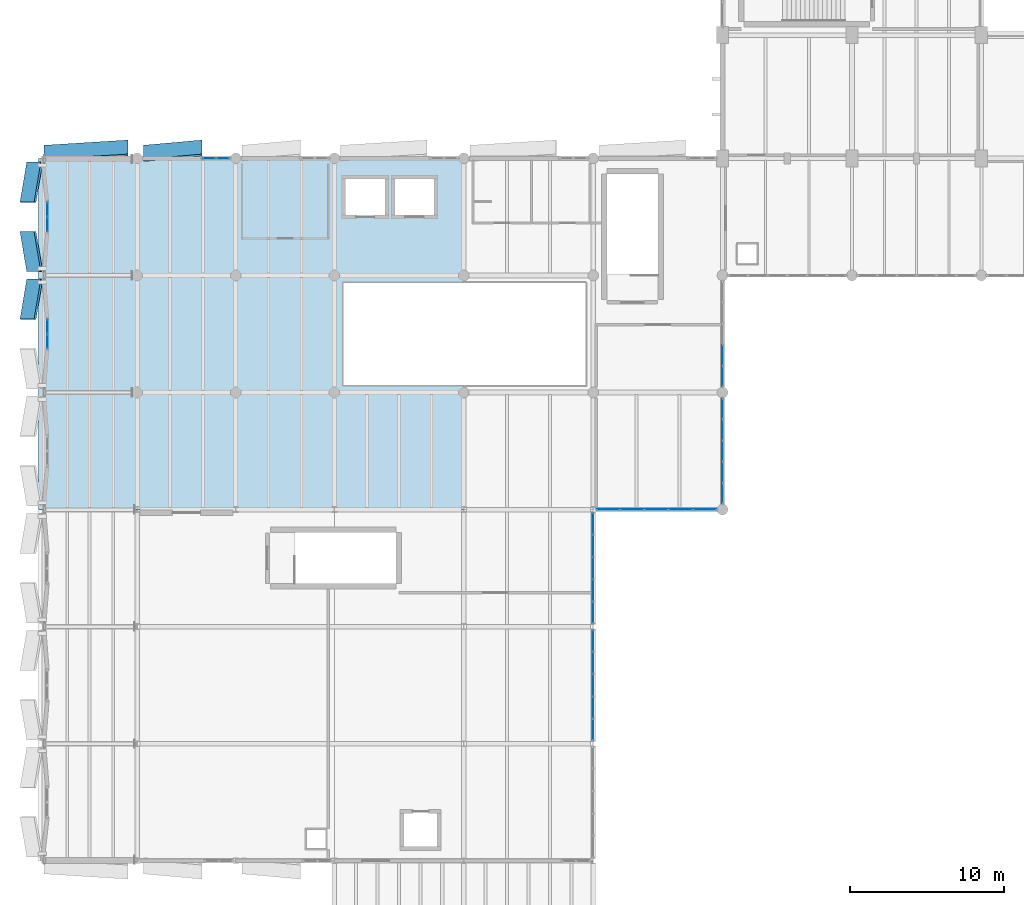
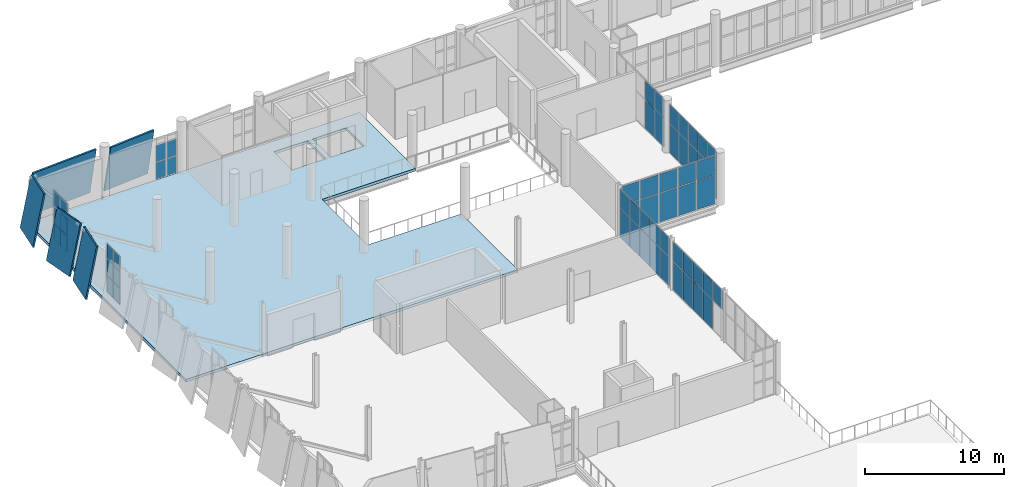
# One storey, part 50 of 74: 64 plates, 1 slab, 8 elements without a shape of their own.
"""IFC4 building model written with IfcOpenShell, lengths in metres."""

from ifc_helpers import new_model, si_unit, direction, frame, origin, origin_2d, place, context, subcontext, project, spatial, polyline, rectangle, outline, extrude, material, layer, layer_set, type_object, element, aggregate, save


model = new_model("IFC4")

# Units and contexts
model_context = context("Model", 3, precision=1e-05, world=origin(), true_north=direction((0.0, 1.0)))
body_context = subcontext(model_context, "Body", "Model", "MODEL_VIEW")
ifc_project = project(units=[si_unit("LENGTHUNIT", "METRE"), si_unit("AREAUNIT", "SQUARE_METRE"), si_unit("VOLUMEUNIT", "CUBIC_METRE"), si_unit("PLANEANGLEUNIT", "RADIAN"), si_unit("MASSUNIT", "GRAM", prefix="KILO")], contexts=[model_context])

# Site, building, storey
site_placement = place(None, origin())
site = spatial("IfcSite", under=ifc_project, at=site_placement, CompositionType="ELEMENT")
building_placement = place(site_placement, origin())
building = spatial("IfcBuilding", under=site, at=building_placement, Name="Shengluoqiao Park Theatre", CompositionType="ELEMENT")
storey_placement = place(building_placement, frame((0.0, 0.0, 14.60009765625)))
storey = spatial("IfcBuildingStorey", under=building, at=storey_placement, Name="L03", CompositionType="ELEMENT", Elevation=14.60009765625)

# Plates
ifc_material_1 = material(Name="Precast concrete C45", Category="concrete")
ifc_layer_1 = layer(ifc_material_1, 0.1298828125, Name="Precast concrete C45")
ifc_layer_set_1 = layer_set([ifc_layer_1], Name="Precast concrete C45")
plate_type_1 = type_object("IfcPlateType", Name="ENV-CRYS-CP-130", PredefinedType="USERDEFINED", material=ifc_layer_set_1)
plate_1_placement = place(storey_placement, frame((-1.212890625, 65.56005859375, -0.050048828125), z_axis=(-0.965711977607, 0.163415624345, 0.201731777433), x_axis=(0.166845840561, 0.985982994523, 0.0)))
element("IfcPlate", 1, at=plate_1_placement, inside=storey, type_object=plate_type_1, Name="V5 L03 Tilted White Precast Crystal Panel 056", ObjectType="FACADE PANEL", PredefinedType="USERDEFINED", context=body_context, shape_type="SweptSolid", body=[
    extrude(outline(polyline([(0.0, 0.0), (2.6368137483790735, 0.0), (2.789117605277513, -4.461599951486063), (0.15230385689843953, -4.461599951486063), (0.0, 0.0)])), origin(), (0.0, 0.0, -1.0), 0.1298828125),
])
plate_2_placement = place(storey_placement, frame((-0.77294921875, 68.639892578125, -0.050048828125), z_axis=(-0.965714399006, -0.16340068986, 0.20173228325), x_axis=(-0.166830610335, 0.985985571626, 0.0)))
element("IfcPlate", 2, at=plate_2_placement, inside=storey, type_object=plate_type_1, Name="V5 L03 Tilted White Precast Crystal Panel 057", ObjectType="FACADE PANEL", PredefinedType="USERDEFINED", context=body_context, shape_type="SweptSolid", body=[
    extrude(outline(polyline([(0.0, 0.0), (2.637054467198198, -1.3877787807814457e-17), (2.484764513086006, -4.461600426058242), (-0.15228995411219196, -4.461600426058242), (0.0, 0.0)])), origin(), (0.0, 0.0, -1.0), 0.1298828125),
])
plate_3_placement = place(storey_placement, frame((-1.212890625, 73.159912109375, -0.050048828125), z_axis=(-0.965714399006, 0.16340068986, 0.20173228325), x_axis=(0.166830610335, 0.985985571626, 0.0)))
element("IfcPlate", 3, at=plate_3_placement, inside=storey, type_object=plate_type_1, Name="V5 L03 Tilted White Precast Crystal Panel 058", ObjectType="FACADE PANEL", PredefinedType="USERDEFINED", context=body_context, shape_type="SweptSolid", body=[
    extrude(outline(polyline([(0.0, 0.0), (2.637054467198198, 1.3877787807814457e-17), (2.78934442131039, -4.461600426058242), (0.15228995411219196, -4.461600426058242), (0.0, 0.0)])), origin(), (0.0, 0.0, -1.0), 0.1298828125),
])
plate_4_placement = place(storey_placement, frame((0.35009765625, 76.852783203125, -0.050048828125), z_axis=(-0.060969852452, 0.97704954507, 0.204100131237), x_axis=(0.998058662622, 0.06228086355, 0.0)))
element("IfcPlate", 4, at=plate_4_placement, inside=storey, type_object=plate_type_1, Name="V5 North L03 Tilted White Precast Crystal Panel 062", ObjectType="FACADE PANEL", PredefinedType="USERDEFINED", context=body_context, shape_type="SweptSolid", body=[
    extrude(outline(polyline([(0.0, 0.0), (5.460551945469565, 1.3877787807814457e-17), (5.403699370075401, -4.463836732744336), (-0.056852575394163295, -4.463836732744336), (0.0, 0.0)])), origin(), (0.0, 0.0, -1.0), 0.1298828125),
])
plate_5_placement = place(storey_placement, frame((6.800048828125, 76.852783203125, -0.050048828125), z_axis=(-0.087270434328, 0.975135901161, 0.203700381834), x_axis=(0.996019160545, 0.08913939548, 0.0)))
element("IfcPlate", 5, at=plate_5_placement, inside=storey, type_object=plate_type_1, Name="V5 North L03 Tilted White Precast Crystal Panel 063", ObjectType="FACADE PANEL", PredefinedType="USERDEFINED", context=body_context, shape_type="SweptSolid", body=[
    extrude(outline(polyline([(0.0, 0.0), (3.815236672800778, 0.0), (3.7338665068588432, -4.463457122906095), (-0.08137016594193454, -4.463457122906095), (0.0, 0.0)])), origin(), (0.0, 0.0, -1.0), 0.1298828125),
])

# Curtain wall, plates
ifc_material_2 = material(Name="Aluminium 6063-T6", Category="aluminium")
curtain_wall_type_1 = type_object("IfcCurtainWallType", Name="ENV-CW-COURT", PredefinedType="NOTDEFINED", material=ifc_material_2)
curtain_wall_1_placement = place(storey_placement, origin())
curtain_wall_1 = element("IfcCurtainWall", 6, at=curtain_wall_1_placement, inside=storey, type_object=curtain_wall_type_1, Name="L03 Curtain Wall CWX-L03-0034", PredefinedType="NOTDEFINED")
ifc_material_3 = material(Name="Insulated glass", Category="glass")
ifc_layer_2 = layer(ifc_material_3, 0.0380859375, Name="Insulated glass")
ifc_layer_set_2 = layer_set([ifc_layer_2], Name="Insulated glass")
plate_type_2 = type_object("IfcPlateType", Name="ENV-GLZ-GL-38", PredefinedType="CURTAIN_PANEL", material=ifc_layer_set_2)
plate_6_placement = place(storey_placement, frame((36.0, 38.915771484375, 2.6337890625), z_axis=(0.0, 0.0, 1.0), x_axis=(0.0, 1.0, 0.0)))
plate_6 = element("IfcPlate", 7, at=plate_6_placement, type_object=plate_type_2, Name="CW-05 panel 1.2", PredefinedType="CURTAIN_PANEL", context=body_context, shape_type="SweptSolid", body=[
    extrude(rectangle(XDim=1.359619140625, YDim=0.0380859375, at=origin_2d()), origin(), (0.0, 0.0, 1.0), 1.64599609375),
])
plate_7_placement = place(storey_placement, frame((36.0, 40.350341796875, 0.06005859375), z_axis=(0.0, 0.0, 1.0), x_axis=(0.0, 1.0, 0.0)))
plate_7 = element("IfcPlate", 8, at=plate_7_placement, type_object=plate_type_2, Name="CW-05 panel 2.1", PredefinedType="CURTAIN_PANEL", context=body_context, shape_type="SweptSolid", body=[
    extrude(rectangle(XDim=1.3896484375, YDim=0.0380859375, at=origin_2d()), origin(), (0.0, 0.0, 1.0), 2.513916015625),
])
plate_8_placement = place(storey_placement, frame((36.0, 40.350341796875, 2.6337890625), z_axis=(0.0, 0.0, 1.0), x_axis=(0.0, 1.0, 0.0)))
plate_8 = element("IfcPlate", 9, at=plate_8_placement, type_object=plate_type_2, Name="CW-05 panel 2.2", PredefinedType="CURTAIN_PANEL", context=body_context, shape_type="SweptSolid", body=[
    extrude(rectangle(XDim=1.3896484375, YDim=0.0380859375, at=origin_2d()), origin(), (0.0, 0.0, 1.0), 1.64599609375),
])
plate_9_placement = place(storey_placement, frame((36.0, 41.800048828125, 0.06005859375), z_axis=(0.0, 0.0, 1.0), x_axis=(0.0, 1.0, 0.0)))
plate_9 = element("IfcPlate", 10, at=plate_9_placement, type_object=plate_type_2, Name="CW-05 panel 3.1", PredefinedType="CURTAIN_PANEL", context=body_context, shape_type="SweptSolid", body=[
    extrude(rectangle(XDim=1.3896484375, YDim=0.0380859375, at=origin_2d()), origin(), (0.0, 0.0, 1.0), 2.513916015625),
])
plate_10_placement = place(storey_placement, frame((36.0, 41.800048828125, 2.6337890625), z_axis=(0.0, 0.0, 1.0), x_axis=(0.0, 1.0, 0.0)))
plate_10 = element("IfcPlate", 11, at=plate_10_placement, type_object=plate_type_2, Name="CW-05 panel 3.2", PredefinedType="CURTAIN_PANEL", context=body_context, shape_type="SweptSolid", body=[
    extrude(rectangle(XDim=1.3896484375, YDim=0.0380859375, at=origin_2d()), origin(), (0.0, 0.0, 1.0), 1.64599609375),
])
plate_11_placement = place(storey_placement, frame((36.0, 43.24951171875, 0.06005859375), z_axis=(0.0, 0.0, 1.0), x_axis=(0.0, 1.0, 0.0)))
plate_11 = element("IfcPlate", 12, at=plate_11_placement, type_object=plate_type_2, Name="CW-05 panel 4.1", PredefinedType="CURTAIN_PANEL", context=body_context, shape_type="SweptSolid", body=[
    extrude(rectangle(XDim=1.3896484375, YDim=0.0380859375, at=origin_2d()), origin(), (0.0, 0.0, 1.0), 2.513916015625),
])
plate_12_placement = place(storey_placement, frame((36.0, 43.24951171875, 2.6337890625), z_axis=(0.0, 0.0, 1.0), x_axis=(0.0, 1.0, 0.0)))
plate_12 = element("IfcPlate", 13, at=plate_12_placement, type_object=plate_type_2, Name="CW-05 panel 4.2", PredefinedType="CURTAIN_PANEL", context=body_context, shape_type="SweptSolid", body=[
    extrude(rectangle(XDim=1.3896484375, YDim=0.0380859375, at=origin_2d()), origin(), (0.0, 0.0, 1.0), 1.64599609375),
])
plate_13_placement = place(storey_placement, frame((36.0, 44.68408203125, 0.06005859375), z_axis=(0.0, 0.0, 1.0), x_axis=(0.0, 1.0, 0.0)))
plate_13 = element("IfcPlate", 14, at=plate_13_placement, type_object=plate_type_2, Name="CW-05 panel 5.1", PredefinedType="CURTAIN_PANEL", context=body_context, shape_type="SweptSolid", body=[
    extrude(rectangle(XDim=1.359619140625, YDim=0.0380859375, at=origin_2d()), origin(), (0.0, 0.0, 1.0), 2.513916015625),
])
plate_14_placement = place(storey_placement, frame((36.0, 44.68408203125, 2.6337890625), z_axis=(0.0, 0.0, 1.0), x_axis=(0.0, 1.0, 0.0)))
plate_14 = element("IfcPlate", 15, at=plate_14_placement, type_object=plate_type_2, Name="CW-05 panel 5.2", PredefinedType="CURTAIN_PANEL", context=body_context, shape_type="SweptSolid", body=[
    extrude(rectangle(XDim=1.359619140625, YDim=0.0380859375, at=origin_2d()), origin(), (0.0, 0.0, 1.0), 1.64599609375),
])
aggregate(curtain_wall_1, [plate_6, plate_7, plate_8, plate_9, plate_10, plate_11, plate_12, plate_13, plate_14])

curtain_wall_2_placement = place(storey_placement, origin())
curtain_wall_2 = element("IfcCurtainWall", 16, at=curtain_wall_2_placement, inside=storey, type_object=curtain_wall_type_1, Name="L03 Curtain Wall CWX-L03-0035", PredefinedType="NOTDEFINED")
plate_15_placement = place(storey_placement, frame((36.0, 46.515869140625, 0.06005859375), z_axis=(0.0, 0.0, 1.0), x_axis=(0.0, 1.0, 0.0)))
plate_15 = element("IfcPlate", 17, at=plate_15_placement, type_object=plate_type_2, Name="CW-05 panel 1.1", PredefinedType="CURTAIN_PANEL", context=body_context, shape_type="SweptSolid", body=[
    extrude(rectangle(XDim=1.359619140625, YDim=0.0380859375, at=origin_2d()), origin(), (0.0, 0.0, 1.0), 2.513916015625),
])
plate_16_placement = place(storey_placement, frame((36.0, 46.515869140625, 2.6337890625), z_axis=(0.0, 0.0, 1.0), x_axis=(0.0, 1.0, 0.0)))
plate_16 = element("IfcPlate", 18, at=plate_16_placement, type_object=plate_type_2, Name="CW-05 panel 1.2", PredefinedType="CURTAIN_PANEL", context=body_context, shape_type="SweptSolid", body=[
    extrude(rectangle(XDim=1.359619140625, YDim=0.0380859375, at=origin_2d()), origin(), (0.0, 0.0, 1.0), 1.64599609375),
])
plate_17_placement = place(storey_placement, frame((36.0, 47.950439453125, 0.06005859375), z_axis=(0.0, 0.0, 1.0), x_axis=(0.0, 1.0, 0.0)))
plate_17 = element("IfcPlate", 19, at=plate_17_placement, type_object=plate_type_2, Name="CW-05 panel 2.1", PredefinedType="CURTAIN_PANEL", context=body_context, shape_type="SweptSolid", body=[
    extrude(rectangle(XDim=1.3896484375, YDim=0.0380859375, at=origin_2d()), origin(), (0.0, 0.0, 1.0), 2.513916015625),
])
plate_18_placement = place(storey_placement, frame((36.0, 47.950439453125, 2.6337890625), z_axis=(0.0, 0.0, 1.0), x_axis=(0.0, 1.0, 0.0)))
plate_18 = element("IfcPlate", 20, at=plate_18_placement, type_object=plate_type_2, Name="CW-05 panel 2.2", PredefinedType="CURTAIN_PANEL", context=body_context, shape_type="SweptSolid", body=[
    extrude(rectangle(XDim=1.3896484375, YDim=0.0380859375, at=origin_2d()), origin(), (0.0, 0.0, 1.0), 1.64599609375),
])
plate_19_placement = place(storey_placement, frame((36.0, 49.39990234375, 0.06005859375), z_axis=(0.0, 0.0, 1.0), x_axis=(0.0, 1.0, 0.0)))
plate_19 = element("IfcPlate", 21, at=plate_19_placement, type_object=plate_type_2, Name="CW-05 panel 3.1", PredefinedType="CURTAIN_PANEL", context=body_context, shape_type="SweptSolid", body=[
    extrude(rectangle(XDim=1.3896484375, YDim=0.0380859375, at=origin_2d()), origin(), (0.0, 0.0, 1.0), 2.513916015625),
])
plate_20_placement = place(storey_placement, frame((36.0, 49.39990234375, 2.6337890625), z_axis=(0.0, 0.0, 1.0), x_axis=(0.0, 1.0, 0.0)))
plate_20 = element("IfcPlate", 22, at=plate_20_placement, type_object=plate_type_2, Name="CW-05 panel 3.2", PredefinedType="CURTAIN_PANEL", context=body_context, shape_type="SweptSolid", body=[
    extrude(rectangle(XDim=1.3896484375, YDim=0.0380859375, at=origin_2d()), origin(), (0.0, 0.0, 1.0), 1.64599609375),
])
plate_21_placement = place(storey_placement, frame((36.0, 50.849609375, 0.06005859375), z_axis=(0.0, 0.0, 1.0), x_axis=(0.0, 1.0, 0.0)))
plate_21 = element("IfcPlate", 23, at=plate_21_placement, type_object=plate_type_2, Name="CW-05 panel 4.1", PredefinedType="CURTAIN_PANEL", context=body_context, shape_type="SweptSolid", body=[
    extrude(rectangle(XDim=1.3896484375, YDim=0.0380859375, at=origin_2d()), origin(), (0.0, 0.0, 1.0), 2.513916015625),
])
plate_22_placement = place(storey_placement, frame((36.0, 50.849609375, 2.6337890625), z_axis=(0.0, 0.0, 1.0), x_axis=(0.0, 1.0, 0.0)))
plate_22 = element("IfcPlate", 24, at=plate_22_placement, type_object=plate_type_2, Name="CW-05 panel 4.2", PredefinedType="CURTAIN_PANEL", context=body_context, shape_type="SweptSolid", body=[
    extrude(rectangle(XDim=1.3896484375, YDim=0.0380859375, at=origin_2d()), origin(), (0.0, 0.0, 1.0), 1.64599609375),
])
plate_23_placement = place(storey_placement, frame((36.0, 52.2841796875, 0.06005859375), z_axis=(0.0, 0.0, 1.0), x_axis=(0.0, 1.0, 0.0)))
plate_23 = element("IfcPlate", 25, at=plate_23_placement, type_object=plate_type_2, Name="CW-05 panel 5.1", PredefinedType="CURTAIN_PANEL", context=body_context, shape_type="SweptSolid", body=[
    extrude(rectangle(XDim=1.359619140625, YDim=0.0380859375, at=origin_2d()), origin(), (0.0, 0.0, 1.0), 2.513916015625),
])
plate_24_placement = place(storey_placement, frame((36.0, 52.2841796875, 2.6337890625), z_axis=(0.0, 0.0, 1.0), x_axis=(0.0, 1.0, 0.0)))
plate_24 = element("IfcPlate", 26, at=plate_24_placement, type_object=plate_type_2, Name="CW-05 panel 5.2", PredefinedType="CURTAIN_PANEL", context=body_context, shape_type="SweptSolid", body=[
    extrude(rectangle(XDim=1.359619140625, YDim=0.0380859375, at=origin_2d()), origin(), (0.0, 0.0, 1.0), 1.64599609375),
])
aggregate(curtain_wall_2, [plate_15, plate_16, plate_17, plate_18, plate_19, plate_20, plate_21, plate_22, plate_23, plate_24])

curtain_wall_type_2 = type_object("IfcCurtainWallType", Name="ENV-CW-FOYER", PredefinedType="NOTDEFINED", material=ifc_material_2)
curtain_wall_3_placement = place(storey_placement, origin())
curtain_wall_3 = element("IfcCurtainWall", 27, at=curtain_wall_3_placement, inside=storey, type_object=curtain_wall_type_2, Name="L03 Curtain Wall CW-L03-0076", PredefinedType="NOTDEFINED")
plate_25_placement = place(storey_placement, frame((11.067138671875, 76.0, 0.06494140625), z_axis=(0.0, 0.0, 1.0), x_axis=(1.0, 0.0, 0.0)))
plate_25 = element("IfcPlate", 28, at=plate_25_placement, type_object=plate_type_2, Name="CW-01 panel 1.1", PredefinedType="CURTAIN_PANEL", context=body_context, shape_type="SweptSolid", body=[
    extrude(rectangle(XDim=0.83251953125, YDim=0.0380859375, at=origin_2d()), origin(), (0.0, 0.0, 1.0), 1.452392578125),
])
plate_26_placement = place(storey_placement, frame((11.067138671875, 76.0, 1.582275390625), z_axis=(0.0, 0.0, 1.0), x_axis=(1.0, 0.0, 0.0)))
plate_26 = element("IfcPlate", 29, at=plate_26_placement, type_object=plate_type_2, Name="CW-01 panel 1.2", PredefinedType="CURTAIN_PANEL", context=body_context, shape_type="SweptSolid", body=[
    extrude(rectangle(XDim=0.83251953125, YDim=0.0380859375, at=origin_2d()), origin(), (0.0, 0.0, 1.0), 1.43505859375),
])
plate_27_placement = place(storey_placement, frame((11.96484375, 76.0, 0.06494140625), z_axis=(0.0, 0.0, 1.0), x_axis=(1.0, 0.0, 0.0)))
plate_27 = element("IfcPlate", 30, at=plate_27_placement, type_object=plate_type_2, Name="CW-01 panel 2.1", PredefinedType="CURTAIN_PANEL", context=body_context, shape_type="SweptSolid", body=[
    extrude(rectangle(XDim=0.83251953125, YDim=0.0380859375, at=origin_2d()), origin(), (0.0, 0.0, 1.0), 1.452392578125),
])
plate_28_placement = place(storey_placement, frame((11.96484375, 76.0, 1.582275390625), z_axis=(0.0, 0.0, 1.0), x_axis=(1.0, 0.0, 0.0)))
plate_28 = element("IfcPlate", 31, at=plate_28_placement, type_object=plate_type_2, Name="CW-01 panel 2.2", PredefinedType="CURTAIN_PANEL", context=body_context, shape_type="SweptSolid", body=[
    extrude(rectangle(XDim=0.83251953125, YDim=0.0380859375, at=origin_2d()), origin(), (0.0, 0.0, 1.0), 1.43505859375),
])
aggregate(curtain_wall_3, [plate_25, plate_26, plate_27, plate_28])

curtain_wall_4_placement = place(storey_placement, origin())
curtain_wall_4 = element("IfcCurtainWall", 32, at=curtain_wall_4_placement, inside=storey, type_object=curtain_wall_type_2, Name="L03 Curtain Wall CWX-L03-0217", PredefinedType="NOTDEFINED")
plate_29_placement = place(storey_placement, frame((36.979736328125, 53.199951171875, 0.06005859375), z_axis=(0.0, 0.0, 1.0), x_axis=(1.0, 0.0, 0.0)))
plate_29 = element("IfcPlate", 33, at=plate_29_placement, type_object=plate_type_2, Name="CW-01 panel 1.1", PredefinedType="CURTAIN_PANEL", context=body_context, shape_type="SweptSolid", body=[
    extrude(rectangle(XDim=1.483642578125, YDim=0.0380859375, at=origin_2d()), origin(), (0.0, 0.0, 1.0), 2.513916015625),
])
plate_30_placement = place(storey_placement, frame((36.979736328125, 53.199951171875, 2.6337890625), z_axis=(0.0, 0.0, 1.0), x_axis=(1.0, 0.0, 0.0)))
plate_30 = element("IfcPlate", 34, at=plate_30_placement, type_object=plate_type_2, Name="CW-01 panel 1.2", PredefinedType="CURTAIN_PANEL", context=body_context, shape_type="SweptSolid", body=[
    extrude(rectangle(XDim=1.483642578125, YDim=0.0380859375, at=origin_2d()), origin(), (0.0, 0.0, 1.0), 1.64599609375),
])
plate_31_placement = place(storey_placement, frame((38.538330078125, 53.199951171875, 0.06005859375), z_axis=(0.0, 0.0, 1.0), x_axis=(1.0, 0.0, 0.0)))
plate_31 = element("IfcPlate", 35, at=plate_31_placement, type_object=plate_type_2, Name="CW-01 panel 2.1", PredefinedType="CURTAIN_PANEL", context=body_context, shape_type="SweptSolid", body=[
    extrude(rectangle(XDim=1.513671875, YDim=0.0380859375, at=origin_2d()), origin(), (0.0, 0.0, 1.0), 2.513916015625),
])
plate_32_placement = place(storey_placement, frame((38.538330078125, 53.199951171875, 2.6337890625), z_axis=(0.0, 0.0, 1.0), x_axis=(1.0, 0.0, 0.0)))
plate_32 = element("IfcPlate", 36, at=plate_32_placement, type_object=plate_type_2, Name="CW-01 panel 2.2", PredefinedType="CURTAIN_PANEL", context=body_context, shape_type="SweptSolid", body=[
    extrude(rectangle(XDim=1.513671875, YDim=0.0380859375, at=origin_2d()), origin(), (0.0, 0.0, 1.0), 1.64599609375),
])
plate_33_placement = place(storey_placement, frame((40.112060546875, 53.199951171875, 0.06005859375), z_axis=(0.0, 0.0, 1.0), x_axis=(1.0, 0.0, 0.0)))
plate_33 = element("IfcPlate", 37, at=plate_33_placement, type_object=plate_type_2, Name="CW-01 panel 3.1", PredefinedType="CURTAIN_PANEL", context=body_context, shape_type="SweptSolid", body=[
    extrude(rectangle(XDim=1.513671875, YDim=0.0380859375, at=origin_2d()), origin(), (0.0, 0.0, 1.0), 2.513916015625),
])
plate_34_placement = place(storey_placement, frame((40.112060546875, 53.199951171875, 2.6337890625), z_axis=(0.0, 0.0, 1.0), x_axis=(1.0, 0.0, 0.0)))
plate_34 = element("IfcPlate", 38, at=plate_34_placement, type_object=plate_type_2, Name="CW-01 panel 3.2", PredefinedType="CURTAIN_PANEL", context=body_context, shape_type="SweptSolid", body=[
    extrude(rectangle(XDim=1.513671875, YDim=0.0380859375, at=origin_2d()), origin(), (0.0, 0.0, 1.0), 1.64599609375),
])
plate_35_placement = place(storey_placement, frame((41.685546875, 53.199951171875, 0.06005859375), z_axis=(0.0, 0.0, 1.0), x_axis=(1.0, 0.0, 0.0)))
plate_35 = element("IfcPlate", 39, at=plate_35_placement, type_object=plate_type_2, Name="CW-01 panel 4.1", PredefinedType="CURTAIN_PANEL", context=body_context, shape_type="SweptSolid", body=[
    extrude(rectangle(XDim=1.513671875, YDim=0.0380859375, at=origin_2d()), origin(), (0.0, 0.0, 1.0), 2.513916015625),
])
plate_36_placement = place(storey_placement, frame((41.685546875, 53.199951171875, 2.6337890625), z_axis=(0.0, 0.0, 1.0), x_axis=(1.0, 0.0, 0.0)))
plate_36 = element("IfcPlate", 40, at=plate_36_placement, type_object=plate_type_2, Name="CW-01 panel 4.2", PredefinedType="CURTAIN_PANEL", context=body_context, shape_type="SweptSolid", body=[
    extrude(rectangle(XDim=1.513671875, YDim=0.0380859375, at=origin_2d()), origin(), (0.0, 0.0, 1.0), 1.64599609375),
])
plate_37_placement = place(storey_placement, frame((43.244140625, 53.199951171875, 0.06005859375), z_axis=(0.0, 0.0, 1.0), x_axis=(1.0, 0.0, 0.0)))
plate_37 = element("IfcPlate", 41, at=plate_37_placement, type_object=plate_type_2, Name="CW-01 panel 5.1", PredefinedType="CURTAIN_PANEL", context=body_context, shape_type="SweptSolid", body=[
    extrude(rectangle(XDim=1.483642578125, YDim=0.0380859375, at=origin_2d()), origin(), (0.0, 0.0, 1.0), 2.513916015625),
])
plate_38_placement = place(storey_placement, frame((43.244140625, 53.199951171875, 2.6337890625), z_axis=(0.0, 0.0, 1.0), x_axis=(1.0, 0.0, 0.0)))
plate_38 = element("IfcPlate", 42, at=plate_38_placement, type_object=plate_type_2, Name="CW-01 panel 5.2", PredefinedType="CURTAIN_PANEL", context=body_context, shape_type="SweptSolid", body=[
    extrude(rectangle(XDim=1.483642578125, YDim=0.0380859375, at=origin_2d()), origin(), (0.0, 0.0, 1.0), 1.64599609375),
])
aggregate(curtain_wall_4, [plate_29, plate_30, plate_31, plate_32, plate_33, plate_34, plate_35, plate_36, plate_37, plate_38])

curtain_wall_5_placement = place(storey_placement, origin())
curtain_wall_5 = element("IfcCurtainWall", 43, at=curtain_wall_5_placement, inside=storey, type_object=curtain_wall_type_1, Name="L03 Curtain Wall CWX-L03-0218", PredefinedType="NOTDEFINED")
plate_39_placement = place(storey_placement, frame((44.39990234375, 54.25830078125, 0.06005859375), z_axis=(0.0, 0.0, 1.0), x_axis=(0.0, 1.0, 0.0)))
plate_39 = element("IfcPlate", 44, at=plate_39_placement, type_object=plate_type_2, Name="CW-05 panel 1.1", PredefinedType="CURTAIN_PANEL", context=body_context, shape_type="SweptSolid", body=[
    extrude(rectangle(XDim=1.288330078125, YDim=0.0380859375, at=origin_2d()), origin(), (0.0, 0.0, 1.0), 2.513916015625),
])
plate_40_placement = place(storey_placement, frame((44.39990234375, 54.25830078125, 2.6337890625), z_axis=(0.0, 0.0, 1.0), x_axis=(0.0, 1.0, 0.0)))
plate_40 = element("IfcPlate", 45, at=plate_40_placement, type_object=plate_type_2, Name="CW-05 panel 1.2", PredefinedType="CURTAIN_PANEL", context=body_context, shape_type="SweptSolid", body=[
    extrude(rectangle(XDim=1.288330078125, YDim=0.0380859375, at=origin_2d()), origin(), (0.0, 0.0, 1.0), 1.64599609375),
])
plate_41_placement = place(storey_placement, frame((44.39990234375, 55.62158203125, 0.06005859375), z_axis=(0.0, 0.0, 1.0), x_axis=(0.0, 1.0, 0.0)))
plate_41 = element("IfcPlate", 46, at=plate_41_placement, type_object=plate_type_2, Name="CW-05 panel 2.1", PredefinedType="CURTAIN_PANEL", context=body_context, shape_type="SweptSolid", body=[
    extrude(rectangle(XDim=1.318359375, YDim=0.0380859375, at=origin_2d()), origin(), (0.0, 0.0, 1.0), 2.513916015625),
])
plate_42_placement = place(storey_placement, frame((44.39990234375, 55.62158203125, 2.6337890625), z_axis=(0.0, 0.0, 1.0), x_axis=(0.0, 1.0, 0.0)))
plate_42 = element("IfcPlate", 47, at=plate_42_placement, type_object=plate_type_2, Name="CW-05 panel 2.2", PredefinedType="CURTAIN_PANEL", context=body_context, shape_type="SweptSolid", body=[
    extrude(rectangle(XDim=1.318359375, YDim=0.0380859375, at=origin_2d()), origin(), (0.0, 0.0, 1.0), 1.64599609375),
])
plate_43_placement = place(storey_placement, frame((44.39990234375, 57.0, 0.06005859375), z_axis=(0.0, 0.0, 1.0), x_axis=(0.0, 1.0, 0.0)))
plate_43 = element("IfcPlate", 48, at=plate_43_placement, type_object=plate_type_2, Name="CW-05 panel 3.1", PredefinedType="CURTAIN_PANEL", context=body_context, shape_type="SweptSolid", body=[
    extrude(rectangle(XDim=1.318359375, YDim=0.0380859375, at=origin_2d()), origin(), (0.0, 0.0, 1.0), 2.513916015625),
])
plate_44_placement = place(storey_placement, frame((44.39990234375, 57.0, 2.6337890625), z_axis=(0.0, 0.0, 1.0), x_axis=(0.0, 1.0, 0.0)))
plate_44 = element("IfcPlate", 49, at=plate_44_placement, type_object=plate_type_2, Name="CW-05 panel 3.2", PredefinedType="CURTAIN_PANEL", context=body_context, shape_type="SweptSolid", body=[
    extrude(rectangle(XDim=1.318359375, YDim=0.0380859375, at=origin_2d()), origin(), (0.0, 0.0, 1.0), 1.64599609375),
])
plate_45_placement = place(storey_placement, frame((44.39990234375, 58.37841796875, 0.06005859375), z_axis=(0.0, 0.0, 1.0), x_axis=(0.0, 1.0, 0.0)))
plate_45 = element("IfcPlate", 50, at=plate_45_placement, type_object=plate_type_2, Name="CW-05 panel 4.1", PredefinedType="CURTAIN_PANEL", context=body_context, shape_type="SweptSolid", body=[
    extrude(rectangle(XDim=1.318359375, YDim=0.0380859375, at=origin_2d()), origin(), (0.0, 0.0, 1.0), 2.513916015625),
])
plate_46_placement = place(storey_placement, frame((44.39990234375, 58.37841796875, 2.6337890625), z_axis=(0.0, 0.0, 1.0), x_axis=(0.0, 1.0, 0.0)))
plate_46 = element("IfcPlate", 51, at=plate_46_placement, type_object=plate_type_2, Name="CW-05 panel 4.2", PredefinedType="CURTAIN_PANEL", context=body_context, shape_type="SweptSolid", body=[
    extrude(rectangle(XDim=1.318359375, YDim=0.0380859375, at=origin_2d()), origin(), (0.0, 0.0, 1.0), 1.64599609375),
])
plate_47_placement = place(storey_placement, frame((44.39990234375, 59.74169921875, 0.06005859375), z_axis=(0.0, 0.0, 1.0), x_axis=(0.0, 1.0, 0.0)))
plate_47 = element("IfcPlate", 52, at=plate_47_placement, type_object=plate_type_2, Name="CW-05 panel 5.1", PredefinedType="CURTAIN_PANEL", context=body_context, shape_type="SweptSolid", body=[
    extrude(rectangle(XDim=1.288330078125, YDim=0.0380859375, at=origin_2d()), origin(), (0.0, 0.0, 1.0), 2.513916015625),
])
plate_48_placement = place(storey_placement, frame((44.39990234375, 59.74169921875, 2.6337890625), z_axis=(0.0, 0.0, 1.0), x_axis=(0.0, 1.0, 0.0)))
plate_48 = element("IfcPlate", 53, at=plate_48_placement, type_object=plate_type_2, Name="CW-05 panel 5.2", PredefinedType="CURTAIN_PANEL", context=body_context, shape_type="SweptSolid", body=[
    extrude(rectangle(XDim=1.288330078125, YDim=0.0380859375, at=origin_2d()), origin(), (0.0, 0.0, 1.0), 1.64599609375),
])
aggregate(curtain_wall_5, [plate_39, plate_40, plate_41, plate_42, plate_43, plate_44, plate_45, plate_46, plate_47, plate_48])

curtain_wall_6_placement = place(storey_placement, origin())
curtain_wall_6 = element("IfcCurtainWall", 54, at=curtain_wall_6_placement, inside=storey, type_object=curtain_wall_type_1, Name="L03 Curtain Wall CWX-L03-0219", PredefinedType="NOTDEFINED")
plate_49_placement = place(storey_placement, frame((44.39990234375, 61.858154296875, 0.06005859375), z_axis=(0.0, 0.0, 1.0), x_axis=(0.0, 1.0, 0.0)))
plate_49 = element("IfcPlate", 55, at=plate_49_placement, type_object=plate_type_2, Name="CW-05 panel 1.1", PredefinedType="CURTAIN_PANEL", context=body_context, shape_type="SweptSolid", body=[
    extrude(rectangle(XDim=1.288330078125, YDim=0.0380859375, at=origin_2d()), origin(), (0.0, 0.0, 1.0), 2.513916015625),
])
plate_50_placement = place(storey_placement, frame((44.39990234375, 61.858154296875, 2.6337890625), z_axis=(0.0, 0.0, 1.0), x_axis=(0.0, 1.0, 0.0)))
plate_50 = element("IfcPlate", 56, at=plate_50_placement, type_object=plate_type_2, Name="CW-05 panel 1.2", PredefinedType="CURTAIN_PANEL", context=body_context, shape_type="SweptSolid", body=[
    extrude(rectangle(XDim=1.288330078125, YDim=0.0380859375, at=origin_2d()), origin(), (0.0, 0.0, 1.0), 1.64599609375),
])
plate_51_placement = place(storey_placement, frame((44.39990234375, 63.2216796875, 0.06005859375), z_axis=(0.0, 0.0, 1.0), x_axis=(0.0, 1.0, 0.0)))
plate_51 = element("IfcPlate", 57, at=plate_51_placement, type_object=plate_type_2, Name="CW-05 panel 2.1", PredefinedType="CURTAIN_PANEL", context=body_context, shape_type="SweptSolid", body=[
    extrude(rectangle(XDim=1.318359375, YDim=0.0380859375, at=origin_2d()), origin(), (0.0, 0.0, 1.0), 2.513916015625),
])
plate_52_placement = place(storey_placement, frame((44.39990234375, 63.2216796875, 2.6337890625), z_axis=(0.0, 0.0, 1.0), x_axis=(0.0, 1.0, 0.0)))
plate_52 = element("IfcPlate", 58, at=plate_52_placement, type_object=plate_type_2, Name="CW-05 panel 2.2", PredefinedType="CURTAIN_PANEL", context=body_context, shape_type="SweptSolid", body=[
    extrude(rectangle(XDim=1.318359375, YDim=0.0380859375, at=origin_2d()), origin(), (0.0, 0.0, 1.0), 1.64599609375),
])
aggregate(curtain_wall_6, [plate_49, plate_50, plate_51, plate_52])

curtain_wall_7_placement = place(storey_placement, origin())
curtain_wall_7 = element("IfcCurtainWall", 59, at=curtain_wall_7_placement, inside=storey, type_object=curtain_wall_type_2, Name="L03 Curtain Wall CW-L03-SLIT-0248", PredefinedType="NOTDEFINED")
plate_53_placement = place(storey_placement, frame((0.56005859375, 64.1162109375, 0.06494140625), z_axis=(0.0, 0.0, 1.0), x_axis=(0.0, 1.0, 0.0)))
plate_53 = element("IfcPlate", 60, at=plate_53_placement, type_object=plate_type_2, Name="CW-01 panel 1.1", PredefinedType="CURTAIN_PANEL", context=body_context, shape_type="SweptSolid", body=[
    extrude(rectangle(XDim=0.902587890625, YDim=0.0380859375, at=origin_2d()), origin(), (0.0, 0.0, 1.0), 1.402587890625),
])
plate_54_placement = place(storey_placement, frame((0.56005859375, 64.1162109375, 1.532470703125), z_axis=(0.0, 0.0, 1.0), x_axis=(0.0, 1.0, 0.0)))
plate_54 = element("IfcPlate", 61, at=plate_54_placement, type_object=plate_type_2, Name="CW-01 panel 1.2", PredefinedType="CURTAIN_PANEL", context=body_context, shape_type="SweptSolid", body=[
    extrude(rectangle(XDim=0.902587890625, YDim=0.0380859375, at=origin_2d()), origin(), (0.0, 0.0, 1.0), 1.43505859375),
])
plate_55_placement = place(storey_placement, frame((0.56005859375, 64.1162109375, 3.0322265625), z_axis=(0.0, 0.0, 1.0), x_axis=(0.0, 1.0, 0.0)))
plate_55 = element("IfcPlate", 62, at=plate_55_placement, type_object=plate_type_2, Name="CW-01 panel 1.3", PredefinedType="CURTAIN_PANEL", context=body_context, shape_type="SweptSolid", body=[
    extrude(rectangle(XDim=0.902587890625, YDim=0.0380859375, at=origin_2d()), origin(), (0.0, 0.0, 1.0), 1.262451171875),
])
plate_56_placement = place(storey_placement, frame((0.56005859375, 65.083740234375, 0.06494140625), z_axis=(0.0, 0.0, 1.0), x_axis=(0.0, 1.0, 0.0)))
plate_56 = element("IfcPlate", 63, at=plate_56_placement, type_object=plate_type_2, Name="CW-01 panel 2.1", PredefinedType="CURTAIN_PANEL", context=body_context, shape_type="SweptSolid", body=[
    extrude(rectangle(XDim=0.902587890625, YDim=0.0380859375, at=origin_2d()), origin(), (0.0, 0.0, 1.0), 1.402587890625),
])
plate_57_placement = place(storey_placement, frame((0.56005859375, 65.083740234375, 1.532470703125), z_axis=(0.0, 0.0, 1.0), x_axis=(0.0, 1.0, 0.0)))
plate_57 = element("IfcPlate", 64, at=plate_57_placement, type_object=plate_type_2, Name="CW-01 panel 2.2", PredefinedType="CURTAIN_PANEL", context=body_context, shape_type="SweptSolid", body=[
    extrude(rectangle(XDim=0.902587890625, YDim=0.0380859375, at=origin_2d()), origin(), (0.0, 0.0, 1.0), 1.43505859375),
])
plate_58_placement = place(storey_placement, frame((0.56005859375, 65.083740234375, 3.0322265625), z_axis=(0.0, 0.0, 1.0), x_axis=(0.0, 1.0, 0.0)))
plate_58 = element("IfcPlate", 65, at=plate_58_placement, type_object=plate_type_2, Name="CW-01 panel 2.3", PredefinedType="CURTAIN_PANEL", context=body_context, shape_type="SweptSolid", body=[
    extrude(rectangle(XDim=0.902587890625, YDim=0.0380859375, at=origin_2d()), origin(), (0.0, 0.0, 1.0), 1.262451171875),
])
aggregate(curtain_wall_7, [plate_53, plate_54, plate_55, plate_56, plate_57, plate_58])

curtain_wall_8_placement = place(storey_placement, origin())
curtain_wall_8 = element("IfcCurtainWall", 66, at=curtain_wall_8_placement, inside=storey, type_object=curtain_wall_type_2, Name="L03 Curtain Wall CW-L03-SLIT-0249", PredefinedType="NOTDEFINED")
plate_59_placement = place(storey_placement, frame((0.56005859375, 71.71630859375, 0.06494140625), z_axis=(0.0, 0.0, 1.0), x_axis=(0.0, 1.0, 0.0)))
plate_59 = element("IfcPlate", 67, at=plate_59_placement, type_object=plate_type_2, Name="CW-01 panel 1.1", PredefinedType="CURTAIN_PANEL", context=body_context, shape_type="SweptSolid", body=[
    extrude(rectangle(XDim=0.902587890625, YDim=0.0380859375, at=origin_2d()), origin(), (0.0, 0.0, 1.0), 1.402587890625),
])
plate_60_placement = place(storey_placement, frame((0.56005859375, 71.71630859375, 1.532470703125), z_axis=(0.0, 0.0, 1.0), x_axis=(0.0, 1.0, 0.0)))
plate_60 = element("IfcPlate", 68, at=plate_60_placement, type_object=plate_type_2, Name="CW-01 panel 1.2", PredefinedType="CURTAIN_PANEL", context=body_context, shape_type="SweptSolid", body=[
    extrude(rectangle(XDim=0.902587890625, YDim=0.0380859375, at=origin_2d()), origin(), (0.0, 0.0, 1.0), 1.43505859375),
])
plate_61_placement = place(storey_placement, frame((0.56005859375, 71.71630859375, 3.0322265625), z_axis=(0.0, 0.0, 1.0), x_axis=(0.0, 1.0, 0.0)))
plate_61 = element("IfcPlate", 69, at=plate_61_placement, type_object=plate_type_2, Name="CW-01 panel 1.3", PredefinedType="CURTAIN_PANEL", context=body_context, shape_type="SweptSolid", body=[
    extrude(rectangle(XDim=0.902587890625, YDim=0.0380859375, at=origin_2d()), origin(), (0.0, 0.0, 1.0), 1.262451171875),
])
plate_62_placement = place(storey_placement, frame((0.56005859375, 72.683837890625, 0.06494140625), z_axis=(0.0, 0.0, 1.0), x_axis=(0.0, 1.0, 0.0)))
plate_62 = element("IfcPlate", 70, at=plate_62_placement, type_object=plate_type_2, Name="CW-01 panel 2.1", PredefinedType="CURTAIN_PANEL", context=body_context, shape_type="SweptSolid", body=[
    extrude(rectangle(XDim=0.902587890625, YDim=0.0380859375, at=origin_2d()), origin(), (0.0, 0.0, 1.0), 1.402587890625),
])
plate_63_placement = place(storey_placement, frame((0.56005859375, 72.683837890625, 1.532470703125), z_axis=(0.0, 0.0, 1.0), x_axis=(0.0, 1.0, 0.0)))
plate_63 = element("IfcPlate", 71, at=plate_63_placement, type_object=plate_type_2, Name="CW-01 panel 2.2", PredefinedType="CURTAIN_PANEL", context=body_context, shape_type="SweptSolid", body=[
    extrude(rectangle(XDim=0.902587890625, YDim=0.0380859375, at=origin_2d()), origin(), (0.0, 0.0, 1.0), 1.43505859375),
])
plate_64_placement = place(storey_placement, frame((0.56005859375, 72.683837890625, 3.0322265625), z_axis=(0.0, 0.0, 1.0), x_axis=(0.0, 1.0, 0.0)))
plate_64 = element("IfcPlate", 72, at=plate_64_placement, type_object=plate_type_2, Name="CW-01 panel 2.3", PredefinedType="CURTAIN_PANEL", context=body_context, shape_type="SweptSolid", body=[
    extrude(rectangle(XDim=0.902587890625, YDim=0.0380859375, at=origin_2d()), origin(), (0.0, 0.0, 1.0), 1.262451171875),
])
aggregate(curtain_wall_8, [plate_59, plate_60, plate_61, plate_62, plate_63, plate_64])

# Slab
ifc_material_4 = material(Name="Concrete C35", Category="concrete")
ifc_layer_3 = layer(ifc_material_4, 0.239990234375, Name="Concrete C35")
ifc_layer_set_3 = layer_set([ifc_layer_3], Name="Concrete C35")
slab_type = type_object("IfcSlabType", Name="STR-SLB-FL240", PredefinedType="FLOOR", material=ifc_layer_set_3)
slab_placement = place(storey_placement, frame((0.0, 0.0, -0.239990234375)))
element("IfcSlab", 73, at=slab_placement, inside=storey, type_object=slab_type, Name="Floor Slab L03-V5-CW", PredefinedType="FLOOR", context=body_context, shape_type="SweptSolid", body=[
    extrude(outline(polyline([(27.60009765625, 53.199951171875), (0.0, 53.199951171875), (0.0, 76.0), (27.60009765625, 76.0), (27.60009765625, 67.89990234375), (19.800048828125, 67.89990234375), (19.800048828125, 61.300048828125), (27.60009765625, 61.300048828125), (27.60009765625, 53.199951171875)]), holes=[polyline([(22.60009765625, 74.800048828125), (19.800048828125, 74.800048828125), (19.800048828125, 72.199951171875), (22.60009765625, 72.199951171875), (22.60009765625, 74.800048828125)]), polyline([(25.800048828125, 72.199951171875), (25.800048828125, 74.800048828125), (23.0, 74.800048828125), (23.0, 72.199951171875), (25.800048828125, 72.199951171875)])]), origin(), (0.0, 0.0, 1.0), 0.239990234375),
])

save(model, "model.ifc")
